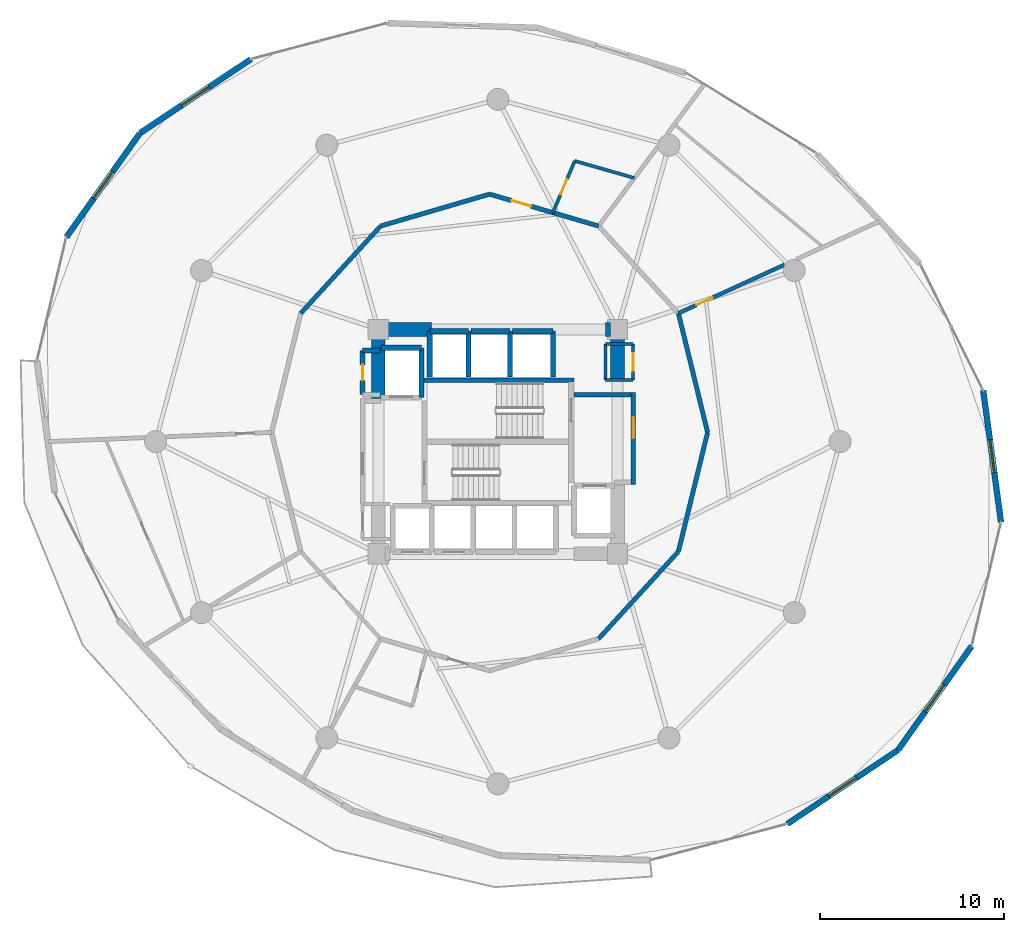
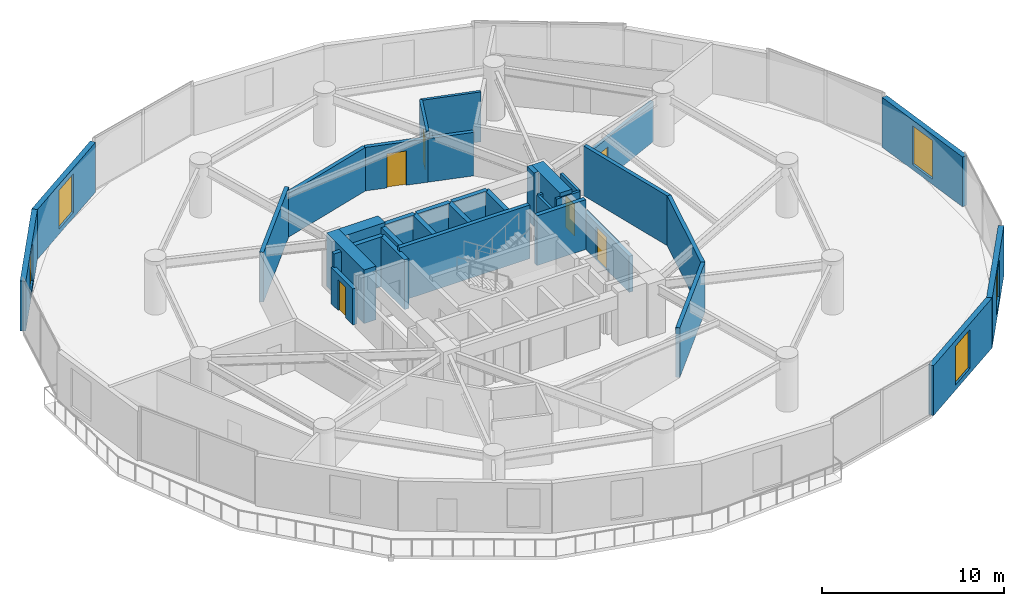
# One storey, part 20 of 24: 37 walls, 6 doors, 5 windows, 11 openings.
"""IFC4 building model written with IfcOpenShell, lengths in metres."""

import ifcopenshell
import ifcopenshell.guid

model = None  # the IFC model being written
_history = None  # IfcOwnerHistory: only IFC2X3 demands one
_inside = {}  # id of a spatial element -> (the spatial element, [elements in it])
_under = {}  # id of a project, library or spatial element -> (it, [spatial elements below it])
_declared = {}  # id of a project -> (the project, [libraries it declares])
_typed = {}  # id of a type object -> (the type object, [elements of that type])
_made_of = {}  # id of a material, layer set ... -> (it, [elements and type objects made of it])


def new_model(schema):
    """Start an empty IFC model of exactly this schema.

    Asked for "IFC4X3", IfcOpenShell would pick the latest addendum, in which some entities
    have other attributes; the version numbers below select the first issue.
    IFC2X3 requires an IfcOwnerHistory on every rooted entity: one is made here for all.
    """
    global model, _history
    if schema == "IFC4X3":
        model = ifcopenshell.file(schema_version=(4, 3, 0, 0))
    else:
        model = ifcopenshell.file(schema=schema)
    _inside.clear()
    _under.clear()
    _declared.clear()
    _typed.clear()
    _made_of.clear()
    _history = None
    if model.schema == "IFC2X3":
        org = make("IfcOrganization", Name="unknown")
        user = make(
            "IfcPersonAndOrganization",
            ThePerson=make("IfcPerson", FamilyName="unknown"),
            TheOrganization=org,
        )
        app = make(
            "IfcApplication",
            ApplicationDeveloper=org,
            Version="unknown",
            ApplicationFullName="unknown",
            ApplicationIdentifier="unknown",
        )
        _history = make(
            "IfcOwnerHistory",
            OwningUser=user,
            OwningApplication=app,
            ChangeAction="ADDED",
            CreationDate=0,
        )
    return model


def make(cls, **values):
    """One entity of the class cls with the attributes given. An attribute that is None is left unset."""
    return model.create_entity(
        cls, **{name: value for name, value in values.items() if value is not None}
    )


def rooted(cls, **values):
    """An entity with a GlobalId (a new one), such as an element, a storey or a relation."""
    return make(cls, GlobalId=ifcopenshell.guid.new(), OwnerHistory=_history, **values)


def si_unit(unit_type, name, prefix=None):
    """IfcSIUnit, for example si_unit("LENGTHUNIT", "METRE", prefix="MILLI")."""
    return make("IfcSIUnit", UnitType=unit_type, Prefix=prefix, Name=name)


def assignment(units):
    """IfcUnitAssignment: the units of a project."""
    return None if units is None else make("IfcUnitAssignment", Units=units)


def point(xyz):
    """IfcCartesianPoint."""
    return None if xyz is None else make("IfcCartesianPoint", Coordinates=xyz)


def direction(xyz):
    """IfcDirection."""
    return None if xyz is None else make("IfcDirection", DirectionRatios=xyz)


def frame(location, z_axis=None, x_axis=None):
    """IfcAxis2Placement3D, a coordinate frame: its origin and axes. An axis left out is left unset."""
    return make(
        "IfcAxis2Placement3D",
        Location=point(location),
        Axis=direction(z_axis),
        RefDirection=direction(x_axis),
    )


def frame_2d(location, x_axis=None):
    """IfcAxis2Placement2D, a coordinate frame in the plane: its origin and x axis."""
    return make(
        "IfcAxis2Placement2D", Location=point(location), RefDirection=direction(x_axis)
    )


def origin():
    """The frame at (0, 0, 0) with its axes left unset."""
    return frame((0.0, 0.0, 0.0))


def place(relative_to, where):
    """IfcLocalPlacement: puts the frame where relative to a parent placement (None: the world)."""
    return make(
        "IfcLocalPlacement", PlacementRelTo=relative_to, RelativePlacement=where
    )


def context(
    kind, dimensions, precision=None, world=None, true_north=None, identifier=None
):
    """IfcGeometricRepresentationContext, for example the 3D "Model" context."""
    return make(
        "IfcGeometricRepresentationContext",
        ContextIdentifier=identifier,
        ContextType=kind,
        CoordinateSpaceDimension=dimensions,
        Precision=precision,
        WorldCoordinateSystem=world,
        TrueNorth=true_north,
    )


def subcontext(parent, identifier, kind, view, scale=None):
    """IfcGeometricRepresentationSubContext, for example "Body" below "Model"."""
    return make(
        "IfcGeometricRepresentationSubContext",
        ContextIdentifier=identifier,
        ContextType=kind,
        ParentContext=parent,
        TargetScale=scale,
        TargetView=view,
    )


def project(units=None, contexts=None):
    """IfcProject with its units and contexts."""
    return rooted(
        "IfcProject",
        Name="project",
        RepresentationContexts=contexts,
        UnitsInContext=assignment(units),
    )


def spatial(cls, under=None, at=None, **own):
    """A site, building, storey or space (cls), placed at a placement, below another one or the project."""
    s = rooted(cls, ObjectPlacement=at, **own)
    if under is not None:
        _under.setdefault(under.id(), (under, []))[1].append(s)
    return s


def profile(cls, at=None, kind="AREA", **sizes):
    """A parametric profile (cls). Its sizes go by their IFC names, for example OverallWidth=200.0."""
    return make(cls, ProfileType=kind, Position=at, **sizes)


def rectangle(**sizes):
    """IfcRectangleProfileDef."""
    return profile("IfcRectangleProfileDef", **sizes)


def extrude(swept, where, along, depth):
    """IfcExtrudedAreaSolid: the profile swept, set in the frame where, extruded along a direction by depth."""
    return make(
        "IfcExtrudedAreaSolid",
        SweptArea=swept,
        Position=where,
        ExtrudedDirection=direction(along),
        Depth=depth,
    )


def shape(context_of_items, identifier, shape_type, items):
    """IfcShapeRepresentation: the items that make up one representation, for example the "Body"."""
    return make(
        "IfcShapeRepresentation",
        ContextOfItems=context_of_items,
        RepresentationIdentifier=identifier,
        RepresentationType=shape_type,
        Items=items,
    )


def material(Name=None, Category=None):
    """IfcMaterial."""
    return make("IfcMaterial", Name=Name, Category=Category)


def layer(
    of_material, thickness, ventilated=None, Name=None, Category=None, Priority=None
):
    """IfcMaterialLayer: one layer of a wall or slab, of a material (None: an air gap)."""
    return make(
        "IfcMaterialLayer",
        Material=of_material,
        LayerThickness=thickness,
        IsVentilated=ventilated,
        Name=Name,
        Category=Category,
        Priority=Priority,
    )


def layer_set(layers, Name=None):
    """IfcMaterialLayerSet."""
    return make("IfcMaterialLayerSet", MaterialLayers=layers, LayerSetName=Name)


def made_of(thing, what):
    """Note that an element or type object is made of a material, layer set ...; save() writes the relation."""
    if what is not None:
        _made_of.setdefault(what.id(), (what, []))[1].append(thing)
    return thing


def type_object(cls, material=None, **own):
    """A type object (cls), such as IfcWallType, which elements share."""
    return made_of(rooted(cls, **own), material)


def element(
    cls,
    number,
    at=None,
    inside=None,
    cuts=None,
    type_object=None,
    material=None,
    context=None,
    identifier="Body",
    shape_type=None,
    held_by="IfcProductDefinitionShape",
    body=None,
    shapes=None,
    **own,
):
    """One element of the class cls, such as IfcWall. Its Tag is "e" and its number.

    at: its placement. inside: the storey or other place that contains it. cuts: it is an
    opening in that element (IfcRelVoidsElement). A single representation is given by context,
    identifier, shape_type and body (its items); several are given by shapes. held_by: the class
    of the entity that holds the representations. save() writes the other relations.
    """
    e = rooted(cls, Tag="e%d" % number, ObjectPlacement=at, **own)
    if body is not None:
        shapes = [shape(context, identifier, shape_type, body)]
    if shapes is not None:
        e.Representation = make(held_by, Representations=shapes)
    if inside is not None:
        _inside.setdefault(inside.id(), (inside, []))[1].append(e)
    if cuts is not None:
        rooted(
            "IfcRelVoidsElement", RelatingBuildingElement=cuts, RelatedOpeningElement=e
        )
    if type_object is not None:
        _typed.setdefault(type_object.id(), (type_object, []))[1].append(e)
    return made_of(e, material)


def fill(opening, filler):
    """IfcRelFillsElement: the door or window that sits in an opening."""
    return rooted(
        "IfcRelFillsElement",
        RelatingOpeningElement=opening,
        RelatedBuildingElement=filler,
    )


def aggregate(whole, parts):
    """IfcRelAggregates: a whole, such as a stair, and the parts it consists of."""
    return rooted("IfcRelAggregates", RelatingObject=whole, RelatedObjects=parts)


def save(model, path):
    """Write the relations noted so far, then the file.

    IfcRelAggregates (storeys below a building ...), IfcRelContainedInSpatialStructure (elements
    in a storey), IfcRelDefinesByType, IfcRelAssociatesMaterial and IfcRelDeclares: one each for
    every whole, place, type object, material and project.
    """
    for whole, parts in _under.values():
        aggregate(whole, parts)
    for where, things in _inside.values():
        rooted(
            "IfcRelContainedInSpatialStructure",
            RelatedElements=things,
            RelatingStructure=where,
        )
    for kind, things in _typed.values():
        rooted("IfcRelDefinesByType", RelatedObjects=things, RelatingType=kind)
    for what, things in _made_of.values():
        rooted("IfcRelAssociatesMaterial", RelatedObjects=things, RelatingMaterial=what)
    for by, libraries in _declared.values():
        rooted("IfcRelDeclares", RelatingContext=by, RelatedDefinitions=libraries)
    model.write(path)


model = new_model("IFC4")

# Units and contexts
model_context = context("Model", 3, precision=1e-05, world=origin(), true_north=direction((0.0, 1.0)))
body_context = subcontext(model_context, "Body", "Model", "MODEL_VIEW")
ifc_project = project(units=[si_unit("LENGTHUNIT", "METRE"), si_unit("AREAUNIT", "SQUARE_METRE"), si_unit("VOLUMEUNIT", "CUBIC_METRE"), si_unit("PLANEANGLEUNIT", "RADIAN"), si_unit("MASSUNIT", "GRAM", prefix="KILO")], contexts=[model_context])

# Site, building, storey
site_placement = place(None, origin())
site = spatial("IfcSite", under=ifc_project, at=site_placement, CompositionType="ELEMENT")
building_placement = place(site_placement, origin())
building = spatial("IfcBuilding", under=site, at=building_placement, Name="Solvirekh Grand Hotel", CompositionType="ELEMENT")
storey_placement = place(building_placement, frame((0.0, 0.0, 86.0)))
storey = spatial("IfcBuildingStorey", under=building, at=storey_placement, Name="L21", CompositionType="ELEMENT", Elevation=86.0)

# Walls
ifc_material_1 = material(Name="Concrete C50/60", Category="concrete")
ifc_layer_1 = layer(ifc_material_1, 0.35009765625)
ifc_layer_set_1 = layer_set([ifc_layer_1], Name="Concrete C50/60")
wall_type_1 = type_object("IfcWallType", Name="CoreDivWall_RC350", PredefinedType="SOLIDWALL", material=ifc_layer_set_1)
wall_1_placement = place(storey_placement, frame((-4.1298828125, 3.324951171875, 0.0), z_axis=(0.0, 0.0, 1.0), x_axis=(1.0, 0.0, 0.0)))
element("IfcWall", 1, at=wall_1_placement, inside=storey, type_object=wall_type_1, Name="L21 core stair box wall ST-N", PredefinedType="SOLIDWALL", context=body_context, shape_type="SweptSolid", body=[
    extrude(rectangle(XDim=8.259765625, YDim=0.25, at=frame_2d((4.1298828125, 0.0))), origin(), (0.0, 0.0, 1.0), 3.60009765625),
])
ifc_material_2 = material(Name="Concrete C40/50", Category="concrete")
ifc_layer_2 = layer(ifc_material_2, 0.280029296875)
ifc_layer_set_2 = layer_set([ifc_layer_2], Name="Concrete C40/50")
wall_type_2 = type_object("IfcWallType", Name="CoreShaftWall_RC280", PredefinedType="SOLIDWALL", material=ifc_layer_set_2)
wall_2_placement = place(storey_placement, frame((-1.60009765625, 6.0, 0.0), z_axis=(0.0, 0.0, 1.0), x_axis=(-1.0, 0.0, 0.0)))
element("IfcWall", 2, at=wall_2_placement, inside=storey, type_object=wall_type_2, Name="L21 HP-1 hoistway N wall", PredefinedType="SOLIDWALL", context=body_context, shape_type="SweptSolid", body=[
    extrude(rectangle(XDim=2.099853515625, YDim=0.280029296875, at=frame_2d((1.0498046875, 0.0))), origin(), (0.0, 0.0, 1.0), 3.340087890625),
])
for number, where, z_axis, x_axis, name in (
    (3, (-3.699951171875, 6.0, 0.0), (0.0, 0.0, 1.0), (0.0, -1.0, 0.0), "L21 HP-1 hoistway W wall"),
    (4, (-1.60009765625, 3.5, 0.0), (0.0, 0.0, 1.0), (0.0, 1.0, 0.0), "L21 HP-1 hoistway E wall"),
):
    element("IfcWall", number, at=place(storey_placement, frame(where, z_axis=z_axis, x_axis=x_axis)), inside=storey, type_object=wall_type_2, Name=name, PredefinedType="SOLIDWALL", context=body_context, shape_type="SweptSolid", body=[
        extrude(rectangle(XDim=2.5, YDim=0.280029296875, at=frame_2d((1.25, 0.0))), origin(), (0.0, 0.0, 1.0), 3.340087890625),
    ])
wall_3_placement = place(storey_placement, frame((0.64990234375, 6.0, 0.0), z_axis=(0.0, 0.0, 1.0), x_axis=(-1.0, 0.0, 0.0)))
element("IfcWall", 5, at=wall_3_placement, inside=storey, type_object=wall_type_2, Name="L21 HP-2 hoistway N wall", PredefinedType="SOLIDWALL", context=body_context, shape_type="SweptSolid", body=[
    extrude(rectangle(XDim=2.099853515625, YDim=0.280029296875, at=frame_2d((1.0498046875, 0.0))), origin(), (0.0, 0.0, 1.0), 3.340087890625),
])
wall_4_placement = place(storey_placement, frame((0.64990234375, 3.5, 0.0), z_axis=(0.0, 0.0, 1.0), x_axis=(0.0, 1.0, 0.0)))
element("IfcWall", 6, at=wall_4_placement, inside=storey, type_object=wall_type_2, Name="L21 HP-2 hoistway E wall", PredefinedType="SOLIDWALL", context=body_context, shape_type="SweptSolid", body=[
    extrude(rectangle(XDim=2.5, YDim=0.280029296875, at=frame_2d((1.25, 0.0))), origin(), (0.0, 0.0, 1.0), 3.340087890625),
])
wall_5_placement = place(storey_placement, frame((3.0, 6.0, 0.0), z_axis=(0.0, 0.0, 1.0), x_axis=(-1.0, 0.0, 0.0)))
element("IfcWall", 7, at=wall_5_placement, inside=storey, type_object=wall_type_2, Name="L21 EX-1 hoistway N wall", PredefinedType="SOLIDWALL", context=body_context, shape_type="SweptSolid", body=[
    extrude(rectangle(XDim=2.199951171875, YDim=0.280029296875, at=frame_2d((1.10009765625, 0.0))), origin(), (0.0, 0.0, 1.0), 3.340087890625),
])
wall_6_placement = place(storey_placement, frame((3.0, 3.5, 0.0), z_axis=(0.0, 0.0, 1.0), x_axis=(0.0, 1.0, 0.0)))
element("IfcWall", 8, at=wall_6_placement, inside=storey, type_object=wall_type_2, Name="L21 EX-1 hoistway E wall", PredefinedType="SOLIDWALL", context=body_context, shape_type="SweptSolid", body=[
    extrude(rectangle(XDim=2.5, YDim=0.280029296875, at=frame_2d((1.25, 0.0))), origin(), (0.0, 0.0, 1.0), 3.340087890625),
])
wall_7_placement = place(storey_placement, frame((-4.14990234375, 5.10009765625, 0.0), z_axis=(0.0, 0.0, 1.0), x_axis=(-1.0, 0.0, 0.0)))
element("IfcWall", 9, at=wall_7_placement, inside=storey, type_object=wall_type_2, Name="L21 FL-1 hoistway N wall", PredefinedType="SOLIDWALL", context=body_context, shape_type="SweptSolid", body=[
    extrude(rectangle(XDim=2.2001953125, YDim=0.280029296875, at=frame_2d((1.10009765625, 0.0))), origin(), (0.0, 0.0, 1.0), 3.340087890625),
])
wall_8_placement = place(storey_placement, frame((-4.14990234375, 2.39990234375, 0.0), z_axis=(0.0, 0.0, 1.0), x_axis=(0.0, 1.0, 0.0)))
element("IfcWall", 10, at=wall_8_placement, inside=storey, type_object=wall_type_2, Name="L21 FL-1 hoistway E wall", PredefinedType="SOLIDWALL", context=body_context, shape_type="SweptSolid", body=[
    extrude(rectangle(XDim=2.7001953125, YDim=0.280029296875, at=frame_2d((1.35009765625, 0.0))), origin(), (0.0, 0.0, 1.0), 3.340087890625),
])
ifc_material_3 = material(Name="Concrete C60/75", Category="concrete")
ifc_layer_3 = layer(ifc_material_3, 0.75)
ifc_layer_set_3 = layer_set([ifc_layer_3], Name="Concrete C60/75")
wall_type_3 = type_object("IfcWallType", Name="CoreWall_RC750", PredefinedType="SHEAR", material=ifc_layer_set_3)
wall_9_placement = place(storey_placement, frame((-6.125, 6.10009765625, 0.0), z_axis=(0.0, 0.0, 1.0), x_axis=(1.0, 0.0, 0.0)))
element("IfcWall", 11, at=wall_9_placement, inside=storey, type_object=wall_type_3, Name="L21 core corner shear wall NW-N", PredefinedType="SHEAR", context=body_context, shape_type="SweptSolid", body=[
    extrude(rectangle(XDim=2.52490234375, YDim=0.75, at=frame_2d((1.262451171875, 0.0))), origin(), (0.0, 0.0, 1.0), 3.60009765625),
])
wall_10_placement = place(storey_placement, frame((5.85009765625, 6.10009765625, 0.0), z_axis=(0.0, 0.0, 1.0), x_axis=(1.0, 0.0, 0.0)))
element("IfcWall", 12, at=wall_10_placement, inside=storey, type_object=wall_type_3, Name="L21 core corner shear wall NE-N", PredefinedType="SHEAR", context=body_context, shape_type="SweptSolid", body=[
    extrude(rectangle(XDim=0.27490234375, YDim=0.75, at=frame_2d((0.137451171875, 0.0))), origin(), (0.0, 0.0, 1.0), 3.60009765625),
])
wall_11_placement = place(storey_placement, frame((-6.5, 2.35009765625, 0.0), z_axis=(0.0, 0.0, 1.0), x_axis=(0.0, 1.0, 0.0)))
element("IfcWall", 13, at=wall_11_placement, inside=storey, type_object=wall_type_3, Name="L21 core corner shear wall WN-W", PredefinedType="SHEAR", context=body_context, shape_type="SweptSolid", body=[
    extrude(rectangle(XDim=4.125, YDim=0.75, at=frame_2d((2.0625, 0.0))), origin(), (0.0, 0.0, 1.0), 3.60009765625),
])
wall_12_placement = place(storey_placement, frame((6.5, 3.35009765625, 0.0), z_axis=(0.0, 0.0, 1.0), x_axis=(0.0, 1.0, 0.0)))
element("IfcWall", 14, at=wall_12_placement, inside=storey, type_object=wall_type_3, Name="L21 core corner shear wall EN-E", PredefinedType="SHEAR", context=body_context, shape_type="SweptSolid", body=[
    extrude(rectangle(XDim=3.125, YDim=0.75, at=frame_2d((1.5625, 0.0))), origin(), (0.0, 0.0, 1.0), 3.60009765625),
])

# Wall, opening, window
ifc_material_4 = material(Name="Precast concrete C45/55", Category="concrete")
ifc_layer_4 = layer(ifc_material_4, 0.320068359375)
ifc_layer_set_4 = layer_set([ifc_layer_4], Name="Precast concrete C45/55")
wall_type_4 = type_object("IfcWallType", Name="ExtLobbyWall_RC320", PredefinedType="SOLIDWALL", material=ifc_layer_set_4)
wall_13_placement = place(storey_placement, frame((26.381103515625, 2.7880859375, 0.0), z_axis=(0.0, 0.0, 1.0), x_axis=(0.133965377551, -0.990986012826, 0.0)))
wall_13 = element("IfcWall", 15, at=wall_13_placement, inside=storey, type_object=wall_type_4, Name="L21 exterior structural wall chord 2", PredefinedType="SOLIDWALL", context=body_context, shape_type="SweptSolid", body=[
    extrude(rectangle(XDim=7.233154296875, YDim=0.320068359375, at=frame_2d((3.61669921875, 0.0))), origin(), (0.0, 0.0, 1.0), 3.340087890625),
])
opening_1_placement = place(wall_13_placement, frame((2.717041015625, 0.0, 0.35009765625)))
opening_1 = element("IfcOpeningElement", 16, at=opening_1_placement, cuts=wall_13, Name="Opening W02", PredefinedType="OPENING", context=body_context, shape_type="SweptSolid", body=[
    extrude(rectangle(XDim=1.800048828125, YDim=2.60009765625, at=frame_2d((0.89990234375, 1.300048828125))), frame((0.0, 0.169921875, 0.0), z_axis=(0.0, -1.0, 0.0), x_axis=(1.0, 0.0, 0.0)), (0.0, 0.0, 1.0), 0.340087890625),
])
ifc_material_5 = material(Name="Low-E Tinted Bronze Laminated Glass", Category="aluminium")
window_type = type_object("IfcWindowType", Name="Win_LobbyExt_1800X2600", PartitioningType="SINGLE_PANEL", PredefinedType="WINDOW", material=ifc_material_5)
window_1_placement = place(opening_1_placement, origin())
window_1 = element("IfcWindow", 17, at=window_1_placement, inside=storey, type_object=window_type, Name="L21 panoramic bronze-framed window 2", OverallHeight=2.60009765625, OverallWidth=1.800048828125, PartitioningType="SINGLE_PANEL", PredefinedType="WINDOW", context=body_context, shape_type="SweptSolid", body=[
    extrude(rectangle(XDim=1.800048828125, YDim=2.60009765625, at=frame_2d((0.89990234375, 1.300048828125))), frame((0.0, 0.030029296875, 0.0), z_axis=(0.0, -1.0, 0.0), x_axis=(1.0, 0.0, 0.0)), (0.0, 0.0, 1.0), 0.06005859375),
])
fill(opening_1, window_1)

wall_14_placement = place(storey_placement, frame((-19.449951171875, 16.77001953125, 0.0), z_axis=(0.0, 0.0, 1.0), x_axis=(0.8322631319, 0.554380807099, 0.0)))
wall_14 = element("IfcWall", 18, at=wall_14_placement, inside=storey, type_object=wall_type_4, Name="L21 exterior structural wall chord 9", PredefinedType="SOLIDWALL", context=body_context, shape_type="SweptSolid", body=[
    extrude(rectangle(XDim=7.2333984375, YDim=0.320068359375, at=frame_2d((3.61669921875, 0.0))), origin(), (0.0, 0.0, 1.0), 3.340087890625),
])
opening_2_placement = place(wall_14_placement, frame((2.717041015625, 0.0, 0.35009765625)))
opening_2 = element("IfcOpeningElement", 19, at=opening_2_placement, cuts=wall_14, Name="Opening W02", PredefinedType="OPENING", context=body_context, shape_type="SweptSolid", body=[
    extrude(rectangle(XDim=1.800048828125, YDim=2.60009765625, at=frame_2d((0.89990234375, 1.300048828125))), frame((0.0, 0.169921875, 0.0), z_axis=(0.0, -1.0, 0.0), x_axis=(1.0, 0.0, 0.0)), (0.0, 0.0, 1.0), 0.340087890625),
])
window_2_placement = place(opening_2_placement, origin())
window_2 = element("IfcWindow", 20, at=window_2_placement, inside=storey, type_object=window_type, Name="L21 panoramic bronze-framed window 9", OverallHeight=2.60009765625, OverallWidth=1.800048828125, PartitioningType="SINGLE_PANEL", PredefinedType="WINDOW", context=body_context, shape_type="SweptSolid", body=[
    extrude(rectangle(XDim=1.800048828125, YDim=2.60009765625, at=frame_2d((0.89990234375, 1.300048828125))), frame((0.0, 0.030029296875, 0.0), z_axis=(0.0, -1.0, 0.0), x_axis=(1.0, 0.0, 0.0)), (0.0, 0.0, 1.0), 0.06005859375),
])
fill(opening_2, window_2)

wall_15_placement = place(storey_placement, frame((-23.4541015625, 11.118896484375, 0.0), z_axis=(0.0, 0.0, 1.0), x_axis=(0.578139589546, 0.815937874473, 0.0)))
wall_15 = element("IfcWall", 21, at=wall_15_placement, inside=storey, type_object=wall_type_4, Name="L21 exterior structural wall chord 10", PredefinedType="SOLIDWALL", context=body_context, shape_type="SweptSolid", body=[
    extrude(rectangle(XDim=6.926025390625, YDim=0.320068359375, at=frame_2d((3.462890625, 0.0))), origin(), (0.0, 0.0, 1.0), 3.340087890625),
])
opening_3_placement = place(wall_15_placement, frame((2.56298828125, 0.0, 0.35009765625)))
opening_3 = element("IfcOpeningElement", 22, at=opening_3_placement, cuts=wall_15, Name="Opening W02", PredefinedType="OPENING", context=body_context, shape_type="SweptSolid", body=[
    extrude(rectangle(XDim=1.800048828125, YDim=2.60009765625, at=frame_2d((0.89990234375, 1.300048828125))), frame((0.0, 0.169921875, 0.0), z_axis=(0.0, -1.0, 0.0), x_axis=(1.0, 0.0, 0.0)), (0.0, 0.0, 1.0), 0.340087890625),
])
window_3_placement = place(opening_3_placement, origin())
window_3 = element("IfcWindow", 23, at=window_3_placement, inside=storey, type_object=window_type, Name="L21 panoramic bronze-framed window 10", OverallHeight=2.60009765625, OverallWidth=1.800048828125, PartitioningType="SINGLE_PANEL", PredefinedType="WINDOW", context=body_context, shape_type="SweptSolid", body=[
    extrude(rectangle(XDim=1.800048828125, YDim=2.60009765625, at=frame_2d((0.89990234375, 1.300048828125))), frame((0.0, 0.030029296875, 0.0), z_axis=(0.0, -1.0, 0.0), x_axis=(1.0, 0.0, 0.0)), (0.0, 0.0, 1.0), 0.06005859375),
])
fill(opening_3, window_3)

wall_16_placement = place(storey_placement, frame((21.75, -16.77001953125, 0.0), z_axis=(0.0, 0.0, 1.0), x_axis=(-0.8322631319, -0.554380807099, 0.0)))
wall_16 = element("IfcWall", 24, at=wall_16_placement, inside=storey, type_object=wall_type_4, Name="L21 exterior structural wall chord 19", PredefinedType="SOLIDWALL", context=body_context, shape_type="SweptSolid", body=[
    extrude(rectangle(XDim=7.2333984375, YDim=0.320068359375, at=frame_2d((3.61669921875, 0.0))), origin(), (0.0, 0.0, 1.0), 3.340087890625),
])
opening_4_placement = place(wall_16_placement, frame((2.717041015625, 0.0, 0.35009765625)))
opening_4 = element("IfcOpeningElement", 25, at=opening_4_placement, cuts=wall_16, Name="Opening W02", PredefinedType="OPENING", context=body_context, shape_type="SweptSolid", body=[
    extrude(rectangle(XDim=1.800048828125, YDim=2.60009765625, at=frame_2d((0.89990234375, 1.300048828125))), frame((0.0, 0.169921875, 0.0), z_axis=(0.0, -1.0, 0.0), x_axis=(1.0, 0.0, 0.0)), (0.0, 0.0, 1.0), 0.340087890625),
])
window_4_placement = place(opening_4_placement, origin())
window_4 = element("IfcWindow", 26, at=window_4_placement, inside=storey, type_object=window_type, Name="L21 panoramic bronze-framed window 19", OverallHeight=2.60009765625, OverallWidth=1.800048828125, PartitioningType="SINGLE_PANEL", PredefinedType="WINDOW", context=body_context, shape_type="SweptSolid", body=[
    extrude(rectangle(XDim=1.800048828125, YDim=2.60009765625, at=frame_2d((0.89990234375, 1.300048828125))), frame((0.0, 0.030029296875, 0.0), z_axis=(0.0, -1.0, 0.0), x_axis=(1.0, 0.0, 0.0)), (0.0, 0.0, 1.0), 0.06005859375),
])
fill(opening_4, window_4)

wall_17_placement = place(storey_placement, frame((25.75390625, -11.118896484375, 0.0), z_axis=(0.0, 0.0, 1.0), x_axis=(-0.578116120803, -0.81595450294, 0.0)))
wall_17 = element("IfcWall", 27, at=wall_17_placement, inside=storey, type_object=wall_type_4, Name="L21 exterior structural wall chord 20", PredefinedType="SOLIDWALL", context=body_context, shape_type="SweptSolid", body=[
    extrude(rectangle(XDim=6.92578125, YDim=0.320068359375, at=frame_2d((3.462890625, 0.0))), origin(), (0.0, 0.0, 1.0), 3.340087890625),
])
opening_5_placement = place(wall_17_placement, frame((2.56298828125, 0.0, 0.35009765625)))
opening_5 = element("IfcOpeningElement", 28, at=opening_5_placement, cuts=wall_17, Name="Opening W02", PredefinedType="OPENING", context=body_context, shape_type="SweptSolid", body=[
    extrude(rectangle(XDim=1.800048828125, YDim=2.60009765625, at=frame_2d((0.89990234375, 1.300048828125))), frame((0.0, 0.169921875, 0.0), z_axis=(0.0, -1.0, 0.0), x_axis=(1.0, 0.0, 0.0)), (0.0, 0.0, 1.0), 0.340087890625),
])
window_5_placement = place(opening_5_placement, origin())
window_5 = element("IfcWindow", 29, at=window_5_placement, inside=storey, type_object=window_type, Name="L21 panoramic bronze-framed window 20", OverallHeight=2.60009765625, OverallWidth=1.800048828125, PartitioningType="SINGLE_PANEL", PredefinedType="WINDOW", context=body_context, shape_type="SweptSolid", body=[
    extrude(rectangle(XDim=1.800048828125, YDim=2.60009765625, at=frame_2d((0.89990234375, 1.300048828125))), frame((0.0, 0.030029296875, 0.0), z_axis=(0.0, -1.0, 0.0), x_axis=(1.0, 0.0, 0.0)), (0.0, 0.0, 1.0), 0.06005859375),
])
fill(opening_5, window_5)

# Wall
ifc_material_6 = material(Name="Acoustic Gypsum Partition Assembly")
ifc_layer_5 = layer(ifc_material_6, 0.1650390625)
ifc_layer_set_5 = layer_set([ifc_layer_5], Name="Acoustic Gypsum Partition Assembly")
wall_type_5 = type_object("IfcWallType", Name="Part_BOH_165", PredefinedType="PARTITIONING", material=ifc_layer_set_5)
wall_18_placement = place(storey_placement, frame((5.85009765625, 3.35009765625, 0.0), z_axis=(0.0, 0.0, 1.0), x_axis=(1.0, 0.0, 0.0)))
element("IfcWall", 30, at=wall_18_placement, inside=storey, type_object=wall_type_5, Name="L21 L21 Core Housekeeping Room wall 1", PredefinedType="PARTITIONING", context=body_context, shape_type="SweptSolid", body=[
    extrude(rectangle(XDim=1.5, YDim=0.1650390625, at=frame_2d((0.75, 0.0))), origin(), (0.0, 0.0, 1.0), 3.340087890625),
])

# Wall, opening, door
wall_19_placement = place(storey_placement, frame((7.35009765625, 3.35009765625, 0.0), z_axis=(0.0, 0.0, 1.0), x_axis=(0.0, 1.0, 0.0)))
wall_19 = element("IfcWall", 31, at=wall_19_placement, inside=storey, type_object=wall_type_5, Name="L21 L21 Core Housekeeping Room wall 2", PredefinedType="PARTITIONING", context=body_context, shape_type="SweptSolid", body=[
    extrude(rectangle(XDim=1.949951171875, YDim=0.1650390625, at=frame_2d((0.97509765625, 0.0))), origin(), (0.0, 0.0, 1.0), 3.340087890625),
])
opening_6_placement = place(wall_19_placement, frame((0.5, 0.0, 0.0)))
opening_6 = element("IfcOpeningElement", 32, at=opening_6_placement, cuts=wall_19, Name="Opening D10", PredefinedType="OPENING", context=body_context, shape_type="SweptSolid", body=[
    extrude(rectangle(XDim=0.949951171875, YDim=2.10009765625, at=frame_2d((0.47509765625, 1.050048828125))), frame((0.0, 0.092529296875, 0.0), z_axis=(0.0, -1.0, 0.0), x_axis=(1.0, 0.0, 0.0)), (0.0, 0.0, 1.0), 0.18505859375),
])
ifc_material_7 = material(Name="Anodized Bronze Aluminium 6063-T6", Category="aluminium")
door_type_1 = type_object("IfcDoorType", Name="Door_RoomInt_950X2100", OperationType="NOTDEFINED", PredefinedType="DOOR", material=ifc_material_7)
door_1_placement = place(opening_6_placement, origin())
door_1 = element("IfcDoor", 33, at=door_1_placement, inside=storey, type_object=door_type_1, Name="L21 L21 Core Housekeeping Room door", OperationType="SINGLE_SWING_RIGHT", OverallHeight=2.10009765625, OverallWidth=0.949951171875, PredefinedType="DOOR", context=body_context, shape_type="SweptSolid", body=[
    extrude(rectangle(XDim=0.949951171875, YDim=2.10009765625, at=frame_2d((0.47509765625, 1.050048828125))), frame((0.0, 0.02490234375, 0.0), z_axis=(0.0, -1.0, 0.0), x_axis=(1.0, 0.0, 0.0)), (0.0, 0.0, 1.0), 0.050048828125),
])
fill(opening_6, door_1)

# Walls
wall_20_placement = place(storey_placement, frame((7.35009765625, 5.300048828125, 0.0), z_axis=(0.0, 0.0, 1.0), x_axis=(-1.0, 0.0, 0.0)))
element("IfcWall", 34, at=wall_20_placement, inside=storey, type_object=wall_type_5, Name="L21 L21 Core Housekeeping Room wall 3", PredefinedType="PARTITIONING", context=body_context, shape_type="SweptSolid", body=[
    extrude(rectangle(XDim=1.5, YDim=0.1650390625, at=frame_2d((0.75, 0.0))), origin(), (0.0, 0.0, 1.0), 2.425048828125),
])
wall_21_placement = place(storey_placement, frame((5.85009765625, 5.300048828125, 0.0), z_axis=(0.0, 0.0, 1.0), x_axis=(0.0, -1.0, 0.0)))
element("IfcWall", 35, at=wall_21_placement, inside=storey, type_object=wall_type_5, Name="L21 L21 Core Housekeeping Room wall 4", PredefinedType="PARTITIONING", context=body_context, shape_type="SweptSolid", body=[
    extrude(rectangle(XDim=1.949951171875, YDim=0.1650390625, at=frame_2d((0.97509765625, 0.0))), origin(), (0.0, 0.0, 1.0), 2.425048828125),
])

# Wall, opening, door
ifc_layer_6 = layer(ifc_material_6, 0.239990234375)
ifc_layer_set_6 = layer_set([ifc_layer_6], Name="Acoustic Gypsum Partition Assembly")
wall_type_6 = type_object("IfcWallType", Name="Part_Corridor_240", PredefinedType="PARTITIONING", material=ifc_layer_set_6)
wall_22_placement = place(storey_placement, frame((7.35009765625, -2.340087890625, 0.0), z_axis=(0.0, 0.0, 1.0), x_axis=(0.0, 1.0, 0.0)))
wall_22 = element("IfcWall", 36, at=wall_22_placement, inside=storey, type_object=wall_type_6, Name="L21 east firefighting lobby smoke screen wall", PredefinedType="PARTITIONING", context=body_context, shape_type="SweptSolid", body=[
    extrude(rectangle(XDim=5.02001953125, YDim=0.239990234375, at=frame_2d((2.510009765625, 0.0))), origin(), (0.0, 0.0, 1.0), 2.425048828125),
])
opening_7_placement = place(wall_22_placement, frame((2.514892578125, 0.0, 0.0)))
opening_7 = element("IfcOpeningElement", 37, at=opening_7_placement, cuts=wall_22, Name="Opening D06", PredefinedType="OPENING", context=body_context, shape_type="SweptSolid", body=[
    extrude(rectangle(XDim=1.14990234375, YDim=2.199951171875, at=frame_2d((0.574951171875, 1.10009765625))), frame((0.0, 0.1298828125, 0.0), z_axis=(0.0, -1.0, 0.0), x_axis=(1.0, 0.0, 0.0)), (0.0, 0.0, 1.0), 0.260009765625),
])
ifc_material_8 = material(Name="Fire-Rated Steel Door Assembly", Category="steel")
door_type_2 = type_object("IfcDoorType", Name="Door_FFLobby_1150X2200", OperationType="NOTDEFINED", PredefinedType="DOOR", material=ifc_material_8)
door_2_placement = place(opening_7_placement, origin())
door_2 = element("IfcDoor", 38, at=door_2_placement, inside=storey, type_object=door_type_2, Name="L21 east firefighting lobby smoke door", OperationType="SINGLE_SWING_LEFT", OverallHeight=2.199951171875, OverallWidth=1.14990234375, PredefinedType="DOOR", context=body_context, shape_type="SweptSolid", body=[
    extrude(rectangle(XDim=1.14990234375, YDim=2.199951171875, at=frame_2d((0.574951171875, 1.10009765625))), frame((0.0, 0.02490234375, 0.0), z_axis=(0.0, -1.0, 0.0), x_axis=(1.0, 0.0, 0.0)), (0.0, 0.0, 1.0), 0.050048828125),
])
fill(opening_7, door_2)

# Walls
wall_23_placement = place(storey_placement, frame((5.47509765625, -10.715087890625, 0.0), z_axis=(0.0, 0.0, 1.0), x_axis=(0.675041189424, 0.737780043496, 0.0)))
element("IfcWall", 39, at=wall_23_placement, inside=storey, type_object=wall_type_6, Name="L21 Presidential Suite 2301 Living Room corridor wall 2", PredefinedType="PARTITIONING", context=body_context, shape_type="SweptSolid", body=[
    extrude(rectangle(XDim=6.424560546875, YDim=0.239990234375, at=frame_2d((3.21240234375, 0.0))), origin(), (0.0, 0.0, 1.0), 3.340087890625),
])
for number, where, z_axis, x_axis, name in (
    (40, (9.81201171875, -5.97509765625, 0.0), (0.0, 0.0, 1.0), (0.238173299928, 0.971222672306, 0.0), "L21 Presidential Suite 2301 Living Room corridor wall 3"),
    (41, (11.39990234375, 0.5, 0.0), (0.0, 0.0, 1.0), (-0.238173299928, 0.971222672306, 0.0), "L21 Presidential Suite 2301 Living Room corridor wall 4"),
):
    element("IfcWall", number, at=place(storey_placement, frame(where, z_axis=z_axis, x_axis=x_axis)), inside=storey, type_object=wall_type_6, Name=name, PredefinedType="PARTITIONING", context=body_context, shape_type="SweptSolid", body=[
        extrude(rectangle(XDim=6.6669921875, YDim=0.239990234375, at=frame_2d((3.33349609375, 0.0))), origin(), (0.0, 0.0, 1.0), 3.340087890625),
    ])
wall_24_placement = place(storey_placement, frame((5.47509765625, 11.715087890625, 0.0), z_axis=(0.0, 0.0, 1.0), x_axis=(-0.959684159597, 0.281080618005, 0.0)))
element("IfcWall", 42, at=wall_24_placement, inside=storey, type_object=wall_type_6, Name="L21 En-suite Bathroom 2302 corridor backing wall", PredefinedType="PARTITIONING", context=body_context, shape_type="SweptSolid", body=[
    extrude(rectangle(XDim=2.593505859375, YDim=0.239990234375, at=frame_2d((1.296875, 0.0))), origin(), (0.0, 0.0, 1.0), 2.9169921875),
])
wall_25_placement = place(storey_placement, frame((-0.449951171875, 13.449951171875, 0.0), z_axis=(0.0, 0.0, 1.0), x_axis=(-0.959706719045, -0.281003582576, 0.0)))
element("IfcWall", 43, at=wall_25_placement, inside=storey, type_object=wall_type_6, Name="L21 Presidential Suite 2302 Living Room corridor wall 1", PredefinedType="PARTITIONING", context=body_context, shape_type="SweptSolid", body=[
    extrude(rectangle(XDim=6.173828125, YDim=0.239990234375, at=frame_2d((3.0869140625, 0.0))), origin(), (0.0, 0.0, 1.0), 2.9169921875),
])
wall_26_placement = place(storey_placement, frame((-6.375, 11.715087890625, 0.0), z_axis=(0.0, 0.0, 1.0), x_axis=(-0.675041189424, -0.737780043496, 0.0)))
element("IfcWall", 44, at=wall_26_placement, inside=storey, type_object=wall_type_6, Name="L21 Presidential Suite 2302 Living Room corridor wall 2", PredefinedType="PARTITIONING", context=body_context, shape_type="SweptSolid", body=[
    extrude(rectangle(XDim=6.424560546875, YDim=0.239990234375, at=frame_2d((3.21240234375, 0.0))), origin(), (0.0, 0.0, 1.0), 3.340087890625),
])

# Wall, opening, door
wall_27_placement = place(storey_placement, frame((2.986083984375, 12.444091796875, 0.0), z_axis=(0.0, 0.0, 1.0), x_axis=(-0.959723057579, 0.280947775844, 0.0)))
wall_27 = element("IfcWall", 45, at=wall_27_placement, inside=storey, type_object=wall_type_6, Name="L21 Presidential Suite 2302 Living Room entrance wall", PredefinedType="PARTITIONING", context=body_context, shape_type="SweptSolid", body=[
    extrude(rectangle(XDim=3.580322265625, YDim=0.239990234375, at=frame_2d((1.7900390625, 0.0))), origin(), (0.0, 0.0, 1.0), 2.9169921875),
])
opening_8_placement = place(wall_27_placement, frame((1.239990234375, 0.0, 0.0)))
opening_8 = element("IfcOpeningElement", 46, at=opening_8_placement, cuts=wall_27, Name="Opening D08", PredefinedType="OPENING", context=body_context, shape_type="SweptSolid", body=[
    extrude(rectangle(XDim=1.10009765625, YDim=2.300048828125, at=frame_2d((0.550048828125, 1.14990234375))), frame((0.0, 0.1298828125, 0.0), z_axis=(0.0, -1.0, 0.0), x_axis=(1.0, 0.0, 0.0)), (0.0, 0.0, 1.0), 0.260009765625),
])
door_type_3 = type_object("IfcDoorType", Name="Door_SuiteEntry_1100X2300", OperationType="NOTDEFINED", PredefinedType="DOOR", material=ifc_material_8)
door_3_placement = place(opening_8_placement, origin())
door_3 = element("IfcDoor", 47, at=door_3_placement, inside=storey, type_object=door_type_3, Name="L21 Presidential Suite 2302 Living Room entrance door", OperationType="SINGLE_SWING_RIGHT", OverallHeight=2.300048828125, OverallWidth=1.10009765625, PredefinedType="DOOR", context=body_context, shape_type="SweptSolid", body=[
    extrude(rectangle(XDim=1.10009765625, YDim=2.300048828125, at=frame_2d((0.550048828125, 1.14990234375))), frame((0.0, 0.02490234375, 0.0), z_axis=(0.0, -1.0, 0.0), x_axis=(1.0, 0.0, 0.0)), (0.0, 0.0, 1.0), 0.050048828125),
])
fill(opening_8, door_3)

# Walls
ifc_layer_7 = layer(ifc_material_6, 0.260009765625)
ifc_layer_set_7 = layer_set([ifc_layer_7], Name="Acoustic Gypsum Partition Assembly")
wall_type_7 = type_object("IfcWallType", Name="Part_LobbyFF_260", PredefinedType="PARTITIONING", material=ifc_layer_set_7)
wall_28_placement = place(storey_placement, frame((4.1298828125, 2.550048828125, 0.0), z_axis=(0.0, 0.0, 1.0), x_axis=(1.0, 0.0, 0.0)))
element("IfcWall", 48, at=wall_28_placement, inside=storey, type_object=wall_type_7, Name="L21 east firefighting lobby north partition", PredefinedType="PARTITIONING", context=body_context, shape_type="SweptSolid", body=[
    extrude(rectangle(XDim=3.09521484375, YDim=0.260009765625, at=frame_2d((1.547607421875, 0.0))), origin(), (0.0, 0.0, 1.0), 3.340087890625),
])
wall_29_placement = place(storey_placement, frame((-7.35009765625, 4.949951171875, 0.0), z_axis=(0.0, 0.0, 1.0), x_axis=(1.0, 0.0, 0.0)))
element("IfcWall", 49, at=wall_29_placement, inside=storey, type_object=wall_type_7, Name="L21 NW telecom metering cupboard north wall", PredefinedType="PARTITIONING", context=body_context, shape_type="SweptSolid", body=[
    extrude(rectangle(XDim=0.93017578125, YDim=0.260009765625, at=frame_2d((0.465087890625, 0.0))), origin(), (0.0, 0.0, 1.0), 3.340087890625),
])

# Wall, opening, door
wall_30_placement = place(storey_placement, frame((-7.35009765625, 2.550048828125, 0.0), z_axis=(0.0, 0.0, 1.0), x_axis=(0.0, 1.0, 0.0)))
wall_30 = element("IfcWall", 50, at=wall_30_placement, inside=storey, type_object=wall_type_7, Name="L21 NW telecom metering cupboard access wall", PredefinedType="PARTITIONING", context=body_context, shape_type="SweptSolid", body=[
    extrude(rectangle(XDim=2.39990234375, YDim=0.260009765625, at=frame_2d((1.199951171875, 0.0))), origin(), (0.0, 0.0, 1.0), 2.425048828125),
])
opening_9_placement = place(wall_30_placement, frame((0.77490234375, 0.0, 0.0)))
opening_9 = element("IfcOpeningElement", 51, at=opening_9_placement, cuts=wall_30, Name="Opening D13", PredefinedType="OPENING", context=body_context, shape_type="SweptSolid", body=[
    extrude(rectangle(XDim=0.85009765625, YDim=2.050048828125, at=frame_2d((0.425048828125, 1.02490234375))), frame((0.0, 0.14013671875, 0.0), z_axis=(0.0, -1.0, 0.0), x_axis=(1.0, 0.0, 0.0)), (0.0, 0.0, 1.0), 0.280029296875),
])
door_type_4 = type_object("IfcDoorType", Name="Door_RiserShaft_850X2050", OperationType="NOTDEFINED", PredefinedType="DOOR", material=ifc_material_8)
door_4_placement = place(opening_9_placement, origin())
door_4 = element("IfcDoor", 52, at=door_4_placement, inside=storey, type_object=door_type_4, Name="L21 telecom metering cupboard access door", OperationType="SINGLE_SWING_RIGHT", OverallHeight=2.050048828125, OverallWidth=0.85009765625, PredefinedType="DOOR", context=body_context, shape_type="SweptSolid", body=[
    extrude(rectangle(XDim=0.85009765625, YDim=2.050048828125, at=frame_2d((0.425048828125, 1.02490234375))), frame((0.0, 0.02490234375, 0.0), z_axis=(0.0, -1.0, 0.0), x_axis=(1.0, 0.0, 0.0)), (0.0, 0.0, 1.0), 0.050048828125),
])
fill(opening_9, door_4)

ifc_layer_8 = layer(ifc_material_6, 0.2099609375)
ifc_layer_set_8 = layer_set([ifc_layer_8], Name="Acoustic Gypsum Partition Assembly")
wall_type_8 = type_object("IfcWallType", Name="Part_SuiteDemise_210", PredefinedType="PARTITIONING", material=ifc_layer_set_8)
wall_31_placement = place(storey_placement, frame((9.81201171875, 6.97509765625, 0.0), z_axis=(0.0, 0.0, 1.0), x_axis=(0.90933657519, 0.416061285176, 0.0)))
wall_31 = element("IfcWall", 53, at=wall_31_placement, inside=storey, type_object=wall_type_8, Name="L21 suite radial wall 2 (A)", PredefinedType="PARTITIONING", context=body_context, shape_type="SweptSolid", body=[
    extrude(rectangle(XDim=6.333251953125, YDim=0.2099609375, at=frame_2d((3.16650390625, 0.0))), origin(), (0.0, 0.0, 1.0), 2.708984375),
])
opening_10_placement = place(wall_31_placement, frame((1.076904296875, 0.0, 0.0)))
opening_10 = element("IfcOpeningElement", 54, at=opening_10_placement, cuts=wall_31, Name="Opening D10", PredefinedType="OPENING", context=body_context, shape_type="SweptSolid", body=[
    extrude(rectangle(XDim=0.949951171875, YDim=2.10009765625, at=frame_2d((0.47509765625, 1.050048828125))), frame((0.0, 0.114990234375, 0.0), z_axis=(0.0, -1.0, 0.0), x_axis=(1.0, 0.0, 0.0)), (0.0, 0.0, 1.0), 0.22998046875),
])
door_5_placement = place(opening_10_placement, origin())
door_5 = element("IfcDoor", 55, at=door_5_placement, inside=storey, type_object=door_type_1, Name="L21 Presidential Suite 2301 Suite Foyer suite connecting door", OperationType="SINGLE_SWING_LEFT", OverallHeight=2.10009765625, OverallWidth=0.949951171875, PredefinedType="DOOR", context=body_context, shape_type="SweptSolid", body=[
    extrude(rectangle(XDim=0.949951171875, YDim=2.10009765625, at=frame_2d((0.47509765625, 1.050048828125))), frame((0.0, 0.02490234375, 0.0), z_axis=(0.0, -1.0, 0.0), x_axis=(1.0, 0.0, 0.0)), (0.0, 0.0, 1.0), 0.050048828125),
])
fill(opening_10, door_5)

# Wall
ifc_layer_9 = layer(ifc_material_6, 0.175048828125)
ifc_layer_set_9 = layer_set([ifc_layer_9], Name="Acoustic Gypsum Partition Assembly")
wall_type_9 = type_object("IfcWallType", Name="Plumb_Ensuite_175", PredefinedType="PLUMBINGWALL", material=ifc_layer_set_9)
wall_32_placement = place(storey_placement, frame((7.419921875, 14.324951171875, 0.0), z_axis=(0.0, 0.0, 1.0), x_axis=(-0.961291333748, 0.275533975511, 0.0)))
element("IfcWall", 56, at=wall_32_placement, inside=storey, type_object=wall_type_9, Name="L21 En-suite Bathroom 2302 outer plumbing wall", PredefinedType="PLUMBINGWALL", context=body_context, shape_type="SweptSolid", body=[
    extrude(rectangle(XDim=3.37158203125, YDim=0.175048828125, at=frame_2d((1.685791015625, 0.0))), origin(), (0.0, 0.0, 1.0), 3.340087890625),
])

# Wall, opening, door
wall_33_placement = place(storey_placement, frame((2.986083984375, 12.444091796875, 0.0), z_axis=(0.0, 0.0, 1.0), x_axis=(0.39077987689, 0.920484159461, 0.0)))
wall_33 = element("IfcWall", 57, at=wall_33_placement, inside=storey, type_object=wall_type_9, Name="L21 En-suite Bathroom 2302 entry plumbing wall", PredefinedType="PLUMBINGWALL", context=body_context, shape_type="SweptSolid", body=[
    extrude(rectangle(XDim=3.052490234375, YDim=0.175048828125, at=frame_2d((1.5263671875, 0.0))), origin(), (0.0, 0.0, 1.0), 3.340087890625),
])
opening_11_placement = place(wall_33_placement, frame((1.075927734375, 0.0, 0.0)))
opening_11 = element("IfcOpeningElement", 58, at=opening_11_placement, cuts=wall_33, Name="Opening D09", PredefinedType="OPENING", context=body_context, shape_type="SweptSolid", body=[
    extrude(rectangle(XDim=0.89990234375, YDim=2.10009765625, at=frame_2d((0.449951171875, 1.050048828125))), frame((0.0, 0.09765625, 0.0), z_axis=(0.0, -1.0, 0.0), x_axis=(1.0, 0.0, 0.0)), (0.0, 0.0, 1.0), 0.195068359375),
])
door_type_5 = type_object("IfcDoorType", Name="Door_Ensuite_900X2100", OperationType="NOTDEFINED", PredefinedType="DOOR", material=ifc_material_7)
door_6_placement = place(opening_11_placement, origin())
door_6 = element("IfcDoor", 59, at=door_6_placement, inside=storey, type_object=door_type_5, Name="L21 En-suite Bathroom 2302 door", OperationType="SINGLE_SWING_LEFT", OverallHeight=2.10009765625, OverallWidth=0.89990234375, PredefinedType="DOOR", context=body_context, shape_type="SweptSolid", body=[
    extrude(rectangle(XDim=0.89990234375, YDim=2.10009765625, at=frame_2d((0.449951171875, 1.050048828125))), frame((0.0, 0.02490234375, 0.0), z_axis=(0.0, -1.0, 0.0), x_axis=(1.0, 0.0, 0.0)), (0.0, 0.0, 1.0), 0.050048828125),
])
fill(opening_11, door_6)

save(model, "model.ifc")
